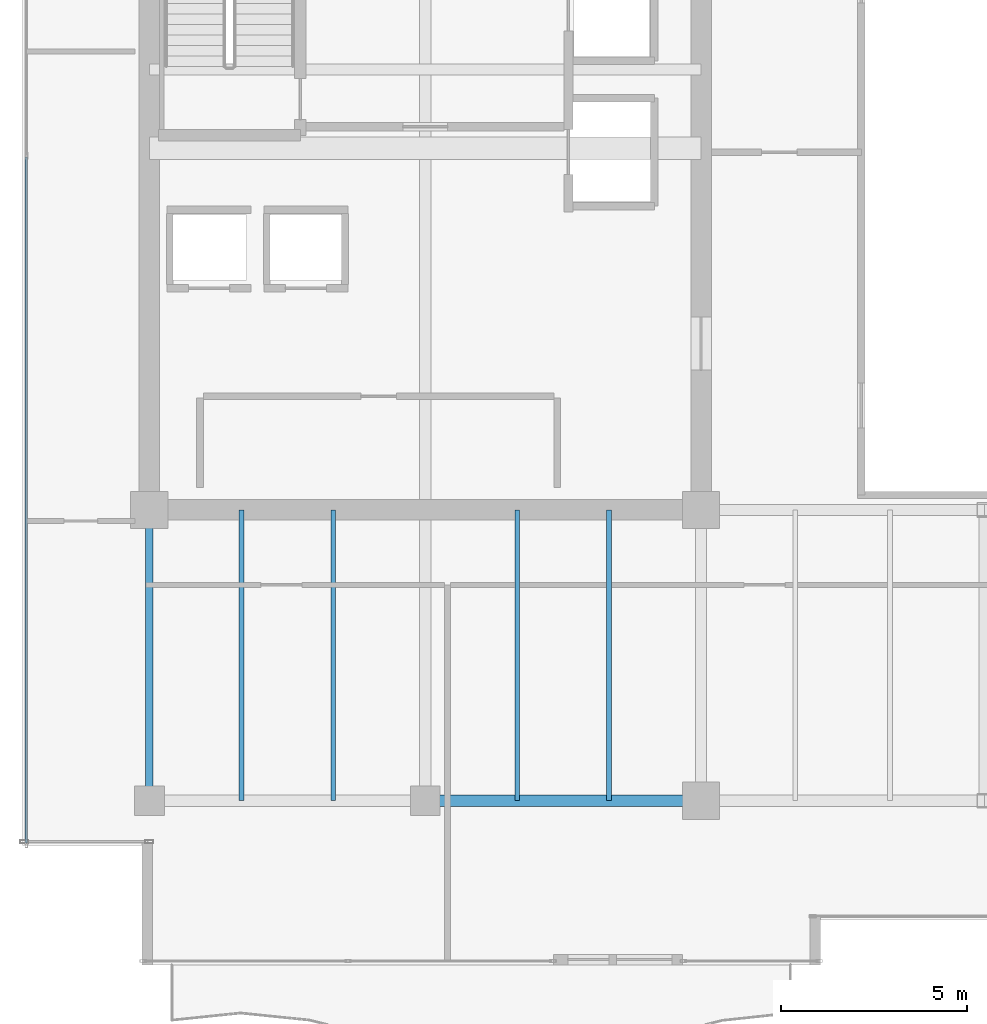
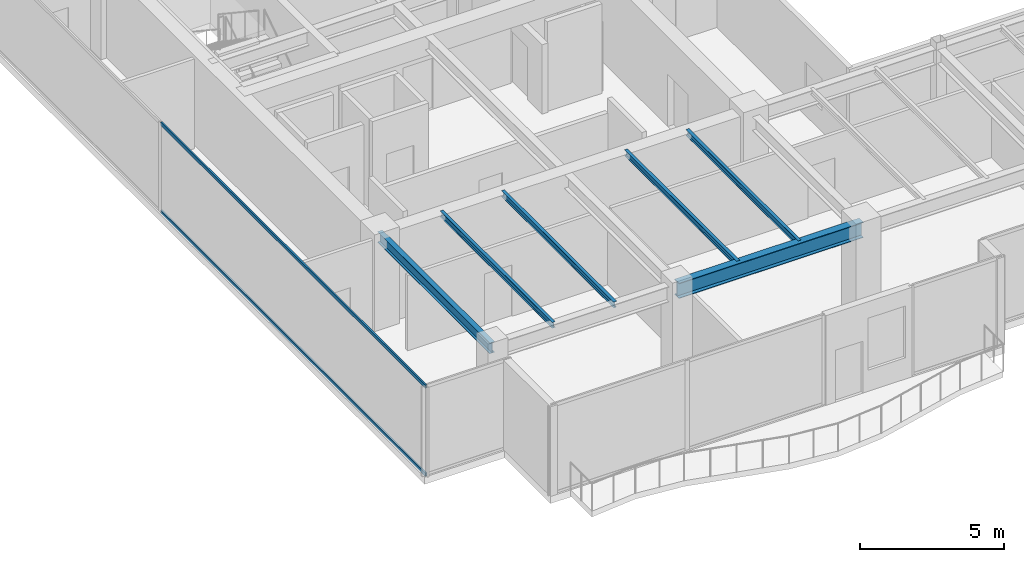
# One storey, part 5 of 34: 6 beams, 2 members, 1 element without a shape of its own.
"""IFC4 building model written with IfcOpenShell, lengths in metres."""

from ifc_helpers import new_model, si_unit, direction, frame, origin, origin_2d, place, context, subcontext, project, spatial, hollow_rectangle, i_section, extrude, source, transform, mapped, material, layer, layer_set, material_profile, profile_set, type_object, type_shapes, element, aggregate, save


model = new_model("IFC4")

# Units and contexts
model_context = context("Model", 3, precision=1e-05, world=origin(), true_north=direction((0.0, 1.0)))
body_context = subcontext(model_context, "Body", "Model", "MODEL_VIEW")
ifc_project = project(units=[si_unit("LENGTHUNIT", "METRE"), si_unit("AREAUNIT", "SQUARE_METRE"), si_unit("VOLUMEUNIT", "CUBIC_METRE"), si_unit("PLANEANGLEUNIT", "RADIAN"), si_unit("MASSUNIT", "GRAM", prefix="KILO")], contexts=[model_context])

# Site, building, storey
site_placement = place(None, origin())
site = spatial("IfcSite", under=ifc_project, at=site_placement, CompositionType="ELEMENT")
building_placement = place(site_placement, origin())
building = spatial("IfcBuilding", under=site, at=building_placement, Name="Haelvirn Gate Laboratories", CompositionType="ELEMENT")
storey_placement = place(building_placement, frame((0.0, 0.0, 246.5)))
storey = spatial("IfcBuildingStorey", under=building, at=storey_placement, Name="L59", CompositionType="ELEMENT", Elevation=246.5)

# Beams
ifc_material_1 = material(Name="Steel SM355", Category="steel")
ifc_material_profile_1 = material_profile(ifc_material_1, i_section(OverallWidth=0.300048828125, OverallDepth=0.64990234375, WebThickness=0.012939453125, FlangeThickness=0.02197265625, at=origin_2d()), Name="H-650x300x13x22")
ifc_profile_set_1 = profile_set([ifc_material_profile_1], Name="Steel SM355")
beam_type_1 = type_object("IfcBeamType", Name="BM-G-650", PredefinedType="BEAM", material=ifc_profile_set_1)
shared_shape_1 = source(origin(), body_context, "Body", "SweptSolid", [
    extrude(i_section(OverallWidth=0.300048828125, OverallDepth=0.64990234375, WebThickness=0.012939453125, FlangeThickness=0.02197265625, at=origin_2d()), origin(), (0.0, 0.0, 1.0), 7.39990234375),
])
type_shapes(beam_type_1, [shared_shape_1])
beam_1_placement = place(storey_placement, frame((14.800048828125, 7.0, 3.47509765625), z_axis=(1.0, 0.0, 0.0), x_axis=(0.0, 1.0, 0.0)))
element("IfcBeam", 1, at=beam_1_placement, inside=storey, type_object=beam_type_1, Name="L59 Primary Girder Y7.0 (14.8-22.2)", PredefinedType="BEAM", context=body_context, shape_type="MappedRepresentation", body=[
    mapped(shared_shape_1, transform((0.0, 0.0, 0.0), scale=1.0)),
])
ifc_material_profile_2 = material_profile(ifc_material_1, i_section(OverallWidth=0.199951171875, OverallDepth=0.449951171875, WebThickness=0.009033203125, FlangeThickness=0.013916015625, at=origin_2d()), Name="H-450x200x9x14")
ifc_profile_set_2 = profile_set([ifc_material_profile_2], Name="Steel SM355")
beam_type_2 = type_object("IfcBeamType", Name="BM-SP-450", PredefinedType="SPANDREL", material=ifc_profile_set_2)
shared_shape_2 = source(origin(), body_context, "Body", "SweptSolid", [
    extrude(i_section(OverallWidth=0.199951171875, OverallDepth=0.449951171875, WebThickness=0.009033203125, FlangeThickness=0.013916015625, at=origin_2d()), origin(), (0.0, 0.0, 1.0), 7.800048828125),
])
type_shapes(beam_type_2, [shared_shape_2])
beam_2_placement = place(storey_placement, frame((7.39990234375, 7.0, 3.574951171875), z_axis=(0.0, 1.0, 0.0), x_axis=(-1.0, 0.0, 0.0)))
element("IfcBeam", 2, at=beam_2_placement, inside=storey, type_object=beam_type_2, Name="L59 Perimeter Spandrel X7.4 (7.0-14.8)", PredefinedType="SPANDREL", context=body_context, shape_type="MappedRepresentation", body=[
    mapped(shared_shape_2, transform((0.0, 0.0, 0.0), scale=1.0)),
])
ifc_material_profile_3 = material_profile(ifc_material_1, i_section(OverallWidth=0.125, OverallDepth=0.25, WebThickness=0.006103515625, FlangeThickness=0.009033203125, at=origin_2d()), Name="H-250x125x6x9")
ifc_profile_set_3 = profile_set([ifc_material_profile_3], Name="Steel SM355")
beam_type_3 = type_object("IfcBeamType", Name="BM-J-250", PredefinedType="JOIST", material=ifc_profile_set_3)
shared_shape_3 = source(origin(), body_context, "Body", "SweptSolid", [
    extrude(i_section(OverallWidth=0.125, OverallDepth=0.25, WebThickness=0.006103515625, FlangeThickness=0.009033203125, at=origin_2d()), origin(), (0.0, 0.0, 1.0), 7.800048828125),
])
type_shapes(beam_type_3, [shared_shape_3])
for number, where, z_axis, x_axis, name in (
    (3, (9.8701171875, 7.0, 3.675048828125), (0.0, 1.0, 0.0), (-1.0, 0.0, 0.0), "L59 Composite Lab Joist South X9.87"),
    (4, (12.330078125, 7.0, 3.675048828125), (0.0, 1.0, 0.0), (-1.0, 0.0, 0.0), "L59 Composite Lab Joist South X12.33"),
    (5, (17.27001953125, 7.0, 3.675048828125), (0.0, 1.0, 0.0), (-1.0, 0.0, 0.0), "L59 Composite Lab Joist South X17.27"),
    (6, (19.72998046875, 7.0, 3.675048828125), (0.0, 1.0, 0.0), (-1.0, 0.0, 0.0), "L59 Composite Lab Joist South X19.73"),
):
    element("IfcBeam", number, at=place(storey_placement, frame(where, z_axis=z_axis, x_axis=x_axis)), inside=storey, type_object=beam_type_3, Name=name, PredefinedType="JOIST", context=body_context, shape_type="MappedRepresentation", body=[
        mapped(shared_shape_3, transform((0.0, 0.0, 0.0), scale=1.0)),
    ])

# Curtain wall, members
ifc_material_2 = material(Name="Anodised bronze unitised aluminium & triple low-E glass", Category="aluminium")
ifc_layer = layer(ifc_material_2, 0.176025390625, Name="CW-SYS-4")
ifc_layer_set = layer_set([ifc_layer], Name="Anodised bronze unitised aluminium & triple low-E glass")
curtain_wall_type = type_object("IfcCurtainWallType", Name="CW-SYS-4", PredefinedType="NOTDEFINED", material=ifc_layer_set)
curtain_wall_placement = place(storey_placement, origin())
curtain_wall = element("IfcCurtainWall", 7, at=curtain_wall_placement, inside=storey, type_object=curtain_wall_type, Name="L59 Unitised Curtain Wall CW-L59-P0-E17", PredefinedType="NOTDEFINED")
ifc_material_3 = material(Name="Extruded aluminium 6063-T6 (anodised bronze)", Category="aluminium")
ifc_material_profile_4 = material_profile(ifc_material_3, hollow_rectangle(XDim=0.06494140625, YDim=0.139892578125, WallThickness=0.00390625, at=origin_2d()), Name="CWT-140x65x4")
ifc_profile_set_4 = profile_set([ifc_material_profile_4], Name="Extruded aluminium 6063-T6 (anodised bronze)")
member_type = type_object("IfcMemberType", Name="CWT-T140", PredefinedType="USERDEFINED", material=ifc_profile_set_4)
shared_shape_4 = source(origin(), body_context, "Body", "SweptSolid", [
    extrude(hollow_rectangle(XDim=0.06494140625, YDim=0.139892578125, WallThickness=0.00390625, at=origin_2d()), origin(), (0.0, 0.0, 1.0), 18.394775390625),
])
type_shapes(member_type, [shared_shape_4])
member_1_placement = place(storey_placement, frame((4.10009765625, 24.264892578125, 0.032470703125), z_axis=(0.0, -1.0, 0.0), x_axis=(1.0, 0.0, 0.0)))
member_1 = element("IfcMember", 8, at=member_1_placement, type_object=member_type, Name="CW4 transom 2.1", ObjectType="TRANSOM", PredefinedType="USERDEFINED", context=body_context, shape_type="MappedRepresentation", body=[
    mapped(shared_shape_4, transform((0.0, 0.0, 0.0), scale=1.0)),
])
member_2_placement = place(storey_placement, frame((4.10009765625, 24.264892578125, 3.767578125), z_axis=(0.0, -1.0, 0.0), x_axis=(1.0, 0.0, 0.0)))
member_2 = element("IfcMember", 9, at=member_2_placement, type_object=member_type, Name="CW4 transom 2.2", ObjectType="TRANSOM", PredefinedType="USERDEFINED", context=body_context, shape_type="MappedRepresentation", body=[
    mapped(shared_shape_4, transform((0.0, 0.0, 0.0), scale=1.0)),
])
aggregate(curtain_wall, [member_1, member_2])

save(model, "model.ifc")
